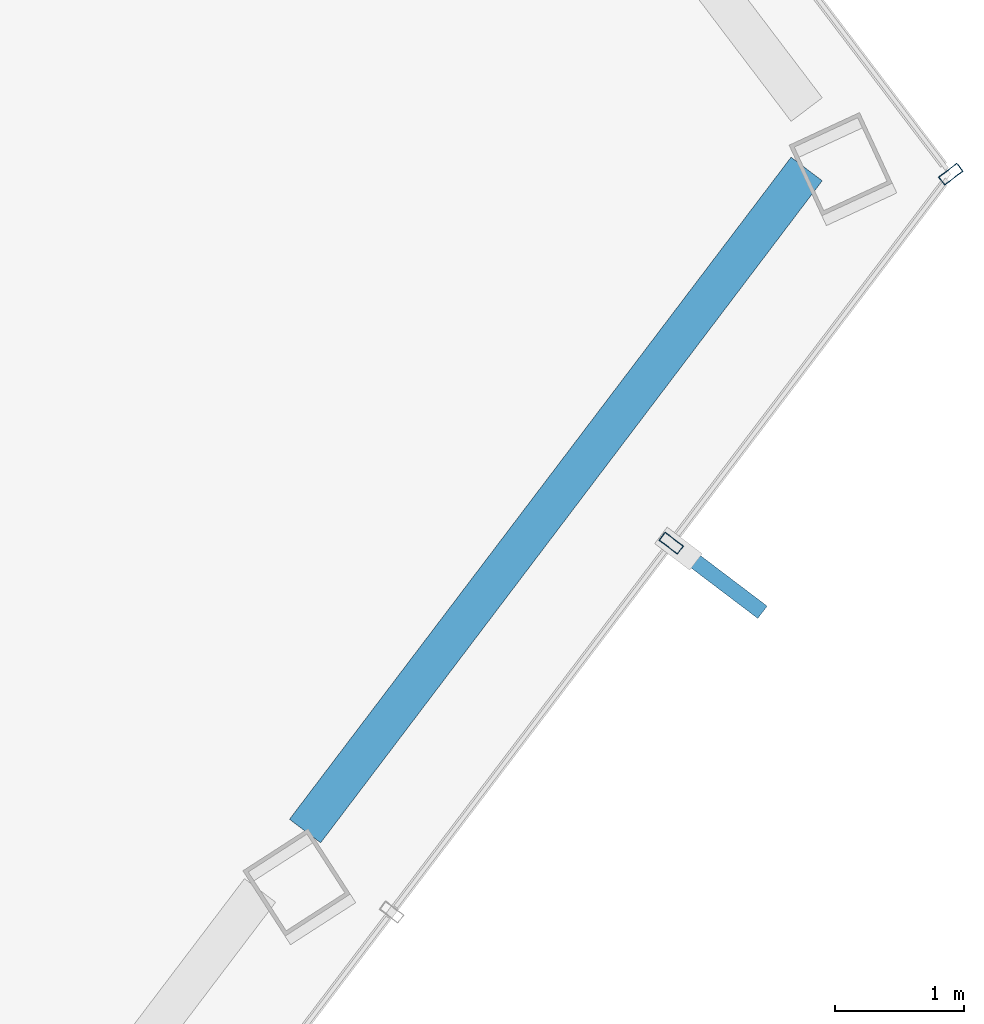
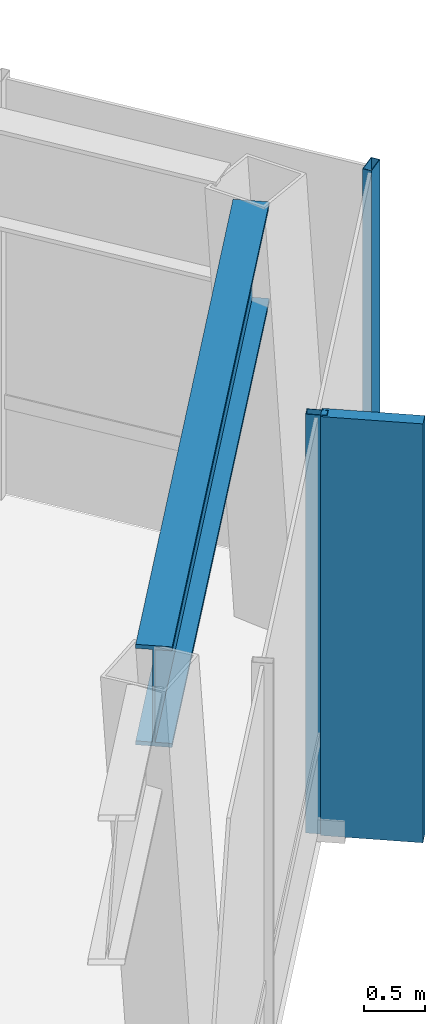
# One storey, part 15 of 22: 3 members, 1 beam, 2 elements without a shape of their own.
"""IFC4 building model written with IfcOpenShell, lengths in metres."""

from ifc_helpers import new_model, si_unit, direction, frame, origin, origin_2d, place, context, subcontext, project, spatial, rectangle, hollow_rectangle, i_section, extrude, material, layer, layer_set, material_profile, profile_set, type_object, element, aggregate, save


model = new_model("IFC4")

# Units and contexts
model_context = context("Model", 3, precision=1e-05, world=origin(), true_north=direction((0.0, 1.0)))
body_context = subcontext(model_context, "Body", "Model", "MODEL_VIEW")
ifc_project = project(units=[si_unit("LENGTHUNIT", "METRE"), si_unit("AREAUNIT", "SQUARE_METRE"), si_unit("VOLUMEUNIT", "CUBIC_METRE"), si_unit("PLANEANGLEUNIT", "RADIAN"), si_unit("MASSUNIT", "GRAM", prefix="KILO")], contexts=[model_context])

# Site, building, storey
site_placement = place(None, origin())
site = spatial("IfcSite", under=ifc_project, at=site_placement, CompositionType="ELEMENT")
building_placement = place(site_placement, origin())
building = spatial("IfcBuilding", under=site, at=building_placement, Name="Zarrinselat Tower", CompositionType="ELEMENT")
storey_placement = place(building_placement, frame((0.0, 0.0, 204.340087890625)))
storey = spatial("IfcBuildingStorey", under=building, at=storey_placement, Name="L50", CompositionType="ELEMENT", Elevation=204.340087890625)

# Beam
ifc_material_1 = material(Name="Steel S460M", Category="steel")
ifc_material_profile_1 = material_profile(ifc_material_1, i_section(OverallWidth=0.302001953125, OverallDepth=1.008056640625, WebThickness=0.02099609375, FlangeThickness=0.0400390625, at=origin_2d()), Name="HEM 1000")
ifc_profile_set_1 = profile_set([ifc_material_profile_1], Name="Steel S460M")
beam_type = type_object("IfcBeamType", Name="BM-HEM1000", PredefinedType="BEAM", material=ifc_profile_set_1)
beam_placement = place(storey_placement, frame((57.380126953125, 35.52783203125, 3.69580078125), z_axis=(0.603860615044, 0.797089930684, 0.0), x_axis=(-0.797089930684, 0.603860615044, 0.0)))
element("IfcBeam", 1, at=beam_placement, inside=storey, type_object=beam_type, Name="L50 Perimeter Spandrel Girder SP14", PredefinedType="BEAM", context=body_context, shape_type="SweptSolid", body=[
    extrude(i_section(OverallWidth=0.302001953125, OverallDepth=1.008056640625, WebThickness=0.02099609375, FlangeThickness=0.0400390625, at=origin_2d()), origin(), (0.0, 0.0, 1.0), 6.423583984375),
])

# Curtain wall, member
ifc_material_2 = material(Name="Extruded Aluminium Alloy EN AW-6063 T6", Category="aluminium")
ifc_layer = layer(ifc_material_2, 0.195068359375)
ifc_layer_set = layer_set([ifc_layer], Name="Extruded Aluminium Alloy EN AW-6063 T6")
curtain_wall_type = type_object("IfcCurtainWallType", Name="CWS-GDN", PredefinedType="NOTDEFINED", material=ifc_layer_set)
curtain_wall_1_placement = place(storey_placement, origin())
curtain_wall_1 = element("IfcCurtainWall", 2, at=curtain_wall_1_placement, inside=storey, type_object=curtain_wall_type, Name="L50 Unitised Curtain Wall CW-L50-E03", PredefinedType="NOTDEFINED")
ifc_material_3 = material(Name="Extruded Aluminium Alloy EN AW-6063 T6", Category="aluminium")
ifc_material_profile_2 = material_profile(ifc_material_3, hollow_rectangle(XDim=0.080078125, YDim=0.179931640625, WallThickness=0.0048828125, at=origin_2d()), Name="RHS 180x80x5")
ifc_profile_set_2 = profile_set([ifc_material_profile_2], Name="Extruded Aluminium Alloy EN AW-6063 T6")
member_type_1 = type_object("IfcMemberType", Name="MEM-CW-MUL", PredefinedType="MULLION", material=ifc_profile_set_2)
member_1_placement = place(storey_placement, frame((62.37353515625, 40.607421875, 0.0), z_axis=(0.0, 0.0, 1.0), x_axis=(0.603852236026, -0.797096278405, 0.0)))
member_1 = element("IfcMember", 3, at=member_1_placement, type_object=member_type_1, Name="CW-L50-E03 Mullion 3", PredefinedType="MULLION", context=body_context, shape_type="SweptSolid", body=[
    extrude(hollow_rectangle(XDim=0.080078125, YDim=0.179931640625, WallThickness=0.0048828125, at=origin_2d()), origin(), (0.0, 0.0, 1.0), 4.199951171875),
])
aggregate(curtain_wall_1, [member_1])

# Curtain wall, members
curtain_wall_2_placement = place(storey_placement, origin())
curtain_wall_2 = element("IfcCurtainWall", 4, at=curtain_wall_2_placement, inside=storey, type_object=curtain_wall_type, Name="L50 Unitised Curtain Wall CW-L50-E04", PredefinedType="NOTDEFINED")
member_2_placement = place(storey_placement, frame((60.2119140625, 37.75390625, 0.0), z_axis=(0.0, 0.0, 1.0), x_axis=(-0.603858158606, -0.79709179163, 0.0)))
member_2 = element("IfcMember", 5, at=member_2_placement, type_object=member_type_1, Name="CW-L50-E04 Mullion 1", PredefinedType="MULLION", context=body_context, shape_type="SweptSolid", body=[
    extrude(hollow_rectangle(XDim=0.080078125, YDim=0.179931640625, WallThickness=0.0048828125, at=origin_2d()), origin(), (0.0, 0.0, 1.0), 4.199951171875),
])
ifc_material_4 = material(Name="Honed Cream Travertine Stone", Category="masonry")
ifc_material_profile_3 = material_profile(ifc_material_4, rectangle(XDim=0.1201171875, YDim=0.85009765625, at=origin_2d()), Name="FIN 850x120")
ifc_profile_set_3 = profile_set([ifc_material_profile_3], Name="Honed Cream Travertine Stone")
member_type_2 = type_object("IfcMemberType", Name="MEM-STONE-FIN", PredefinedType="USERDEFINED", material=ifc_profile_set_3)
member_3_placement = place(storey_placement, frame((60.57861328125, 37.476318359375, 0.0), z_axis=(0.0, 0.0, 1.0), x_axis=(-0.603858158606, -0.79709179163, 0.0)))
member_3 = element("IfcMember", 6, at=member_3_placement, type_object=member_type_2, Name="L50 Stone Shading Fin CW-L50-E04-01", ObjectType="FIN", PredefinedType="USERDEFINED", context=body_context, shape_type="SweptSolid", body=[
    extrude(rectangle(XDim=0.1201171875, YDim=0.85009765625, at=origin_2d()), origin(), (0.0, 0.0, 1.0), 4.199951171875),
])
aggregate(curtain_wall_2, [member_2, member_3])

save(model, "model.ifc")
